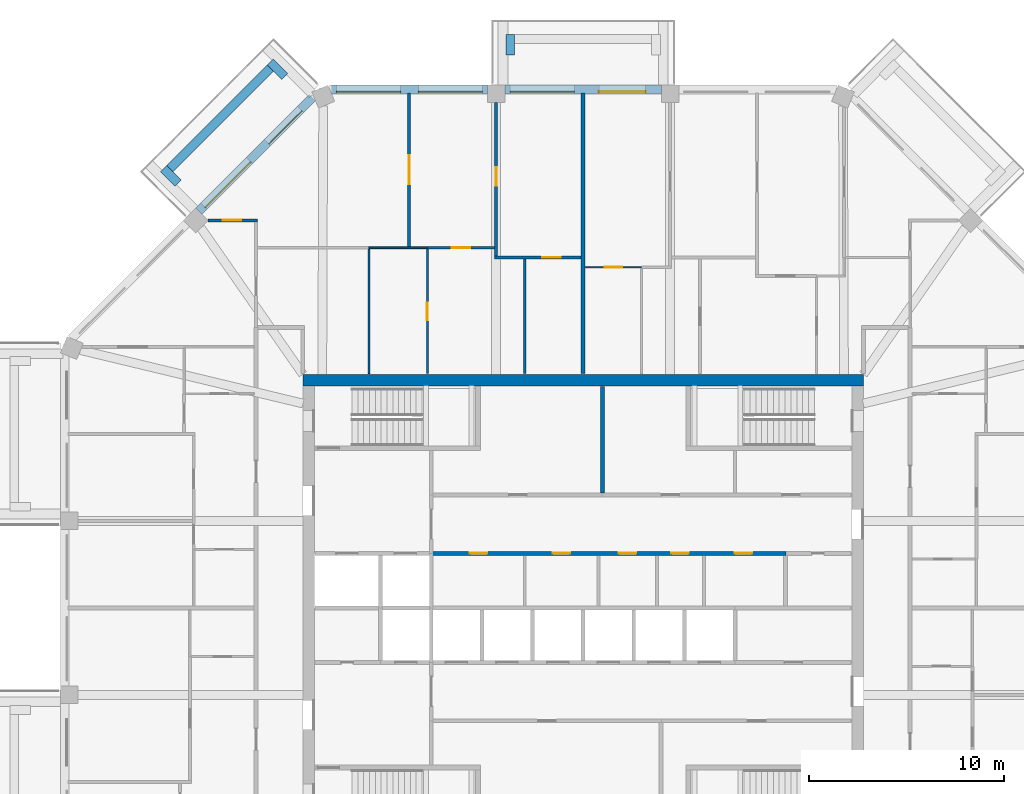
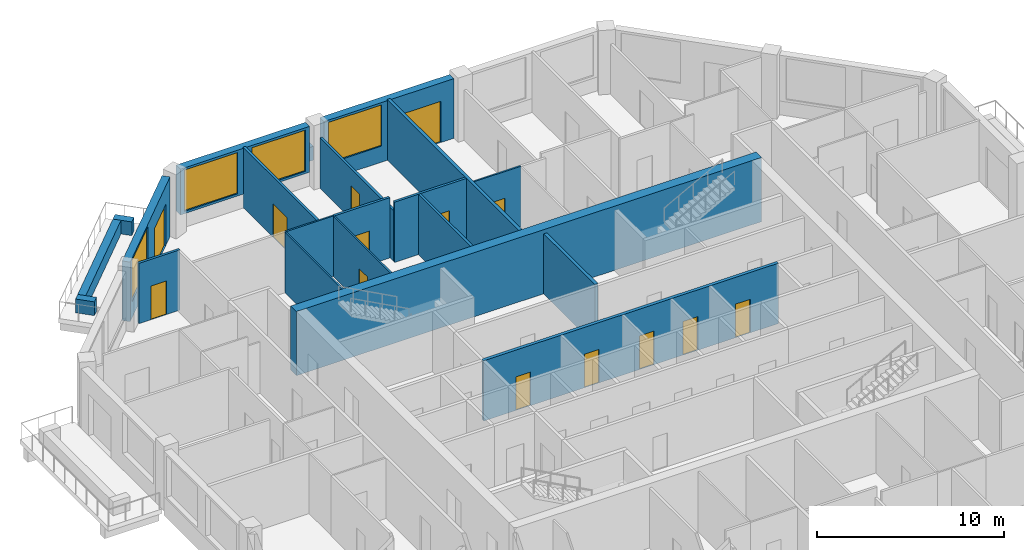
# One storey, part 8 of 12: 21 walls, 14 doors, 4 windows, 18 openings.
"""IFC4 building model written with IfcOpenShell, lengths in metres."""

import ifcopenshell
import ifcopenshell.guid

model = None  # the IFC model being written
_history = None  # IfcOwnerHistory: only IFC2X3 demands one
_inside = {}  # id of a spatial element -> (the spatial element, [elements in it])
_under = {}  # id of a project, library or spatial element -> (it, [spatial elements below it])
_declared = {}  # id of a project -> (the project, [libraries it declares])
_typed = {}  # id of a type object -> (the type object, [elements of that type])
_made_of = {}  # id of a material, layer set ... -> (it, [elements and type objects made of it])


def new_model(schema):
    """Start an empty IFC model of exactly this schema.

    Asked for "IFC4X3", IfcOpenShell would pick the latest addendum, in which some entities
    have other attributes; the version numbers below select the first issue.
    IFC2X3 requires an IfcOwnerHistory on every rooted entity: one is made here for all.
    """
    global model, _history
    if schema == "IFC4X3":
        model = ifcopenshell.file(schema_version=(4, 3, 0, 0))
    else:
        model = ifcopenshell.file(schema=schema)
    _inside.clear()
    _under.clear()
    _declared.clear()
    _typed.clear()
    _made_of.clear()
    _history = None
    if model.schema == "IFC2X3":
        org = make("IfcOrganization", Name="unknown")
        user = make(
            "IfcPersonAndOrganization",
            ThePerson=make("IfcPerson", FamilyName="unknown"),
            TheOrganization=org,
        )
        app = make(
            "IfcApplication",
            ApplicationDeveloper=org,
            Version="unknown",
            ApplicationFullName="unknown",
            ApplicationIdentifier="unknown",
        )
        _history = make(
            "IfcOwnerHistory",
            OwningUser=user,
            OwningApplication=app,
            ChangeAction="ADDED",
            CreationDate=0,
        )
    return model


def make(cls, **values):
    """One entity of the class cls with the attributes given. An attribute that is None is left unset."""
    return model.create_entity(
        cls, **{name: value for name, value in values.items() if value is not None}
    )


def rooted(cls, **values):
    """An entity with a GlobalId (a new one), such as an element, a storey or a relation."""
    return make(cls, GlobalId=ifcopenshell.guid.new(), OwnerHistory=_history, **values)


def si_unit(unit_type, name, prefix=None):
    """IfcSIUnit, for example si_unit("LENGTHUNIT", "METRE", prefix="MILLI")."""
    return make("IfcSIUnit", UnitType=unit_type, Prefix=prefix, Name=name)


def assignment(units):
    """IfcUnitAssignment: the units of a project."""
    return None if units is None else make("IfcUnitAssignment", Units=units)


def point(xyz):
    """IfcCartesianPoint."""
    return None if xyz is None else make("IfcCartesianPoint", Coordinates=xyz)


def direction(xyz):
    """IfcDirection."""
    return None if xyz is None else make("IfcDirection", DirectionRatios=xyz)


def frame(location, z_axis=None, x_axis=None):
    """IfcAxis2Placement3D, a coordinate frame: its origin and axes. An axis left out is left unset."""
    return make(
        "IfcAxis2Placement3D",
        Location=point(location),
        Axis=direction(z_axis),
        RefDirection=direction(x_axis),
    )


def frame_2d(location, x_axis=None):
    """IfcAxis2Placement2D, a coordinate frame in the plane: its origin and x axis."""
    return make(
        "IfcAxis2Placement2D", Location=point(location), RefDirection=direction(x_axis)
    )


def origin():
    """The frame at (0, 0, 0) with its axes left unset."""
    return frame((0.0, 0.0, 0.0))


def place(relative_to, where):
    """IfcLocalPlacement: puts the frame where relative to a parent placement (None: the world)."""
    return make(
        "IfcLocalPlacement", PlacementRelTo=relative_to, RelativePlacement=where
    )


def context(
    kind, dimensions, precision=None, world=None, true_north=None, identifier=None
):
    """IfcGeometricRepresentationContext, for example the 3D "Model" context."""
    return make(
        "IfcGeometricRepresentationContext",
        ContextIdentifier=identifier,
        ContextType=kind,
        CoordinateSpaceDimension=dimensions,
        Precision=precision,
        WorldCoordinateSystem=world,
        TrueNorth=true_north,
    )


def subcontext(parent, identifier, kind, view, scale=None):
    """IfcGeometricRepresentationSubContext, for example "Body" below "Model"."""
    return make(
        "IfcGeometricRepresentationSubContext",
        ContextIdentifier=identifier,
        ContextType=kind,
        ParentContext=parent,
        TargetScale=scale,
        TargetView=view,
    )


def project(units=None, contexts=None):
    """IfcProject with its units and contexts."""
    return rooted(
        "IfcProject",
        Name="project",
        RepresentationContexts=contexts,
        UnitsInContext=assignment(units),
    )


def spatial(cls, under=None, at=None, **own):
    """A site, building, storey or space (cls), placed at a placement, below another one or the project."""
    s = rooted(cls, ObjectPlacement=at, **own)
    if under is not None:
        _under.setdefault(under.id(), (under, []))[1].append(s)
    return s


def profile(cls, at=None, kind="AREA", **sizes):
    """A parametric profile (cls). Its sizes go by their IFC names, for example OverallWidth=200.0."""
    return make(cls, ProfileType=kind, Position=at, **sizes)


def rectangle(**sizes):
    """IfcRectangleProfileDef."""
    return profile("IfcRectangleProfileDef", **sizes)


def extrude(swept, where, along, depth):
    """IfcExtrudedAreaSolid: the profile swept, set in the frame where, extruded along a direction by depth."""
    return make(
        "IfcExtrudedAreaSolid",
        SweptArea=swept,
        Position=where,
        ExtrudedDirection=direction(along),
        Depth=depth,
    )


def shape(context_of_items, identifier, shape_type, items):
    """IfcShapeRepresentation: the items that make up one representation, for example the "Body"."""
    return make(
        "IfcShapeRepresentation",
        ContextOfItems=context_of_items,
        RepresentationIdentifier=identifier,
        RepresentationType=shape_type,
        Items=items,
    )


def material(Name=None, Category=None):
    """IfcMaterial."""
    return make("IfcMaterial", Name=Name, Category=Category)


def layer(
    of_material, thickness, ventilated=None, Name=None, Category=None, Priority=None
):
    """IfcMaterialLayer: one layer of a wall or slab, of a material (None: an air gap)."""
    return make(
        "IfcMaterialLayer",
        Material=of_material,
        LayerThickness=thickness,
        IsVentilated=ventilated,
        Name=Name,
        Category=Category,
        Priority=Priority,
    )


def layer_set(layers, Name=None):
    """IfcMaterialLayerSet."""
    return make("IfcMaterialLayerSet", MaterialLayers=layers, LayerSetName=Name)


def made_of(thing, what):
    """Note that an element or type object is made of a material, layer set ...; save() writes the relation."""
    if what is not None:
        _made_of.setdefault(what.id(), (what, []))[1].append(thing)
    return thing


def type_object(cls, material=None, **own):
    """A type object (cls), such as IfcWallType, which elements share."""
    return made_of(rooted(cls, **own), material)


def element(
    cls,
    number,
    at=None,
    inside=None,
    cuts=None,
    type_object=None,
    material=None,
    context=None,
    identifier="Body",
    shape_type=None,
    held_by="IfcProductDefinitionShape",
    body=None,
    shapes=None,
    **own,
):
    """One element of the class cls, such as IfcWall. Its Tag is "e" and its number.

    at: its placement. inside: the storey or other place that contains it. cuts: it is an
    opening in that element (IfcRelVoidsElement). A single representation is given by context,
    identifier, shape_type and body (its items); several are given by shapes. held_by: the class
    of the entity that holds the representations. save() writes the other relations.
    """
    e = rooted(cls, Tag="e%d" % number, ObjectPlacement=at, **own)
    if body is not None:
        shapes = [shape(context, identifier, shape_type, body)]
    if shapes is not None:
        e.Representation = make(held_by, Representations=shapes)
    if inside is not None:
        _inside.setdefault(inside.id(), (inside, []))[1].append(e)
    if cuts is not None:
        rooted(
            "IfcRelVoidsElement", RelatingBuildingElement=cuts, RelatedOpeningElement=e
        )
    if type_object is not None:
        _typed.setdefault(type_object.id(), (type_object, []))[1].append(e)
    return made_of(e, material)


def fill(opening, filler):
    """IfcRelFillsElement: the door or window that sits in an opening."""
    return rooted(
        "IfcRelFillsElement",
        RelatingOpeningElement=opening,
        RelatedBuildingElement=filler,
    )


def aggregate(whole, parts):
    """IfcRelAggregates: a whole, such as a stair, and the parts it consists of."""
    return rooted("IfcRelAggregates", RelatingObject=whole, RelatedObjects=parts)


def save(model, path):
    """Write the relations noted so far, then the file.

    IfcRelAggregates (storeys below a building ...), IfcRelContainedInSpatialStructure (elements
    in a storey), IfcRelDefinesByType, IfcRelAssociatesMaterial and IfcRelDeclares: one each for
    every whole, place, type object, material and project.
    """
    for whole, parts in _under.values():
        aggregate(whole, parts)
    for where, things in _inside.values():
        rooted(
            "IfcRelContainedInSpatialStructure",
            RelatedElements=things,
            RelatingStructure=where,
        )
    for kind, things in _typed.values():
        rooted("IfcRelDefinesByType", RelatedObjects=things, RelatingType=kind)
    for what, things in _made_of.values():
        rooted("IfcRelAssociatesMaterial", RelatedObjects=things, RelatingMaterial=what)
    for by, libraries in _declared.values():
        rooted("IfcRelDeclares", RelatingContext=by, RelatedDefinitions=libraries)
    model.write(path)


model = new_model("IFC4")

# Units and contexts
model_context = context("Model", 3, precision=1e-05, world=origin(), true_north=direction((0.0, 1.0)))
body_context = subcontext(model_context, "Body", "Model", "MODEL_VIEW")
ifc_project = project(units=[si_unit("LENGTHUNIT", "METRE"), si_unit("AREAUNIT", "SQUARE_METRE"), si_unit("VOLUMEUNIT", "CUBIC_METRE"), si_unit("PLANEANGLEUNIT", "RADIAN"), si_unit("MASSUNIT", "GRAM", prefix="KILO")], contexts=[model_context])

# Site, building, storey
site_placement = place(None, origin())
site = spatial("IfcSite", under=ifc_project, at=site_placement, CompositionType="ELEMENT")
building_placement = place(site_placement, origin())
building = spatial("IfcBuilding", under=site, at=building_placement, Name="Msitu Wima Residences", CompositionType="ELEMENT")
storey_placement = place(building_placement, frame((0.0, 0.0, 272.699951171875)))
storey = spatial("IfcBuildingStorey", under=building, at=storey_placement, Name="L63", CompositionType="ELEMENT", Elevation=272.699951171875)

# Walls
ifc_material_1 = material(Name="Facing brick")
ifc_layer_1 = layer(ifc_material_1, 0.06494140625, Name="Facing brick")
ifc_material_2 = material(Name="Concrete C40/50", Category="concrete")
ifc_layer_2 = layer(ifc_material_2, 0.156005859375, Name="Concrete C40/50")
ifc_material_3 = material(Name="Waterproofing membrane")
ifc_layer_3 = layer(ifc_material_3, 0.00390625, Name="Waterproofing membrane")
ifc_material_4 = material(Name="Planting soil and planting")
ifc_layer_4 = layer(ifc_material_4, 0.22509765625, Name="Planting soil and planting")
ifc_layer_set_1 = layer_set([ifc_layer_1, ifc_layer_2, ifc_layer_3, ifc_layer_4], Name="Concrete C40/50")
wall_type_1 = type_object("IfcWallType", Name="Balcony planter PLANTER PL450", PredefinedType="USERDEFINED", material=ifc_layer_set_1)
wall_1_placement = place(storey_placement, frame((-3.74365234375, 28.39990234375, 0.0), z_axis=(0.0, 0.0, 1.0), x_axis=(0.0, 1.0, 0.0)))
element("IfcWall", 1, at=wall_1_placement, inside=storey, type_object=wall_type_1, Name="Balcony planter N1 L63", ObjectType="PLANTER", PredefinedType="USERDEFINED", context=body_context, shape_type="SweptSolid", body=[
    extrude(rectangle(XDim=1.050048828125, YDim=0.449951171875, at=frame_2d((0.52490234375, 0.0))), origin(), (0.0, 0.0, 1.0), 0.900146484375),
])
wall_2_placement = place(storey_placement, frame((-16.0751953125, 27.725830078125, 0.0), z_axis=(0.0, 0.0, 1.0), x_axis=(-0.707106781187, -0.707106781187, 0.0)))
element("IfcWall", 2, at=wall_2_placement, inside=storey, type_object=wall_type_1, Name="Balcony planter NW0 L63", ObjectType="PLANTER", PredefinedType="USERDEFINED", context=body_context, shape_type="SweptSolid", body=[
    extrude(rectangle(XDim=7.288330078125, YDim=0.449951171875, at=frame_2d((3.64404296875, 0.0))), origin(), (0.0, 0.0, 1.0), 0.900146484375),
])
for number, where, z_axis, x_axis, name in (
    (3, (-15.332763671875, 27.301513671875, 0.0), (0.0, 0.0, 1.0), (-0.707106781187, 0.707106781187, 0.0), "Balcony planter NW0 L63"),
    (4, (-20.804443359375, 21.829833984375, 0.0), (0.0, 0.0, 1.0), (-0.707106781187, 0.707106781187, 0.0), "Balcony planter NW0 L63"),
):
    element("IfcWall", number, at=place(storey_placement, frame(where, z_axis=z_axis, x_axis=x_axis)), inside=storey, type_object=wall_type_1, Name=name, ObjectType="PLANTER", PredefinedType="USERDEFINED", context=body_context, shape_type="SweptSolid", body=[
        extrude(rectangle(XDim=1.050048828125, YDim=0.449951171875, at=frame_2d((0.52490234375, 0.0))), origin(), (0.0, 0.0, 1.0), 0.900146484375),
    ])

# Wall, openings, door, window
ifc_material_5 = material(Name="Brick (red buff mix)", Category="masonry")
ifc_layer_5 = layer(ifc_material_5, 0.449951171875)
ifc_layer_set_2 = layer_set([ifc_layer_5], Name="Brick (red buff mix)")
wall_type_2 = type_object("IfcWallType", Name="Brick infill wall BW450", PredefinedType="SOLIDWALL", material=ifc_layer_set_2)
wall_3_placement = place(storey_placement, frame((4.0185546875, 26.625, 0.0), z_axis=(0.0, 0.0, 1.0), x_axis=(-1.0, 0.0, 0.0)))
wall_3 = element("IfcWall", 5, at=wall_3_placement, inside=storey, type_object=wall_type_2, Name="Brick infill wall L63 N1", PredefinedType="SOLIDWALL", context=body_context, shape_type="SweptSolid", body=[
    extrude(rectangle(XDim=8.037109375, YDim=0.449951171875, at=frame_2d((4.0185546875, 0.0))), origin(), (0.0, 0.0, 1.0), 3.900146484375),
])
opening_1_placement = place(wall_3_placement, frame((0.809326171875, 0.0, 0.0)))
opening_1 = element("IfcOpeningElement", 6, at=opening_1_placement, cuts=wall_3, Name="Opening D63-64.003", PredefinedType="OPENING", context=body_context, shape_type="SweptSolid", body=[
    extrude(rectangle(XDim=2.39990234375, YDim=2.699951171875, at=frame_2d((1.199951171875, 1.35009765625))), frame((0.0, 0.23486328125, 0.0), z_axis=(0.0, -1.0, 0.0), x_axis=(1.0, 0.0, 0.0)), (0.0, 0.0, 1.0), 0.469970703125),
])
opening_2_placement = place(wall_3_placement, frame((4.46875, 0.0, 1.050048828125)))
opening_2 = element("IfcOpeningElement", 7, at=opening_2_placement, cuts=wall_3, Name="Opening W63-64.007", PredefinedType="OPENING", context=body_context, shape_type="SweptSolid", body=[
    extrude(rectangle(XDim=3.300048828125, YDim=2.699951171875, at=frame_2d((1.64990234375, 1.35009765625))), frame((0.0, 0.23486328125, 0.0), z_axis=(0.0, -1.0, 0.0), x_axis=(1.0, 0.0, 0.0)), (0.0, 0.0, 1.0), 0.469970703125),
])
ifc_material_6 = material(Name="Anodised aluminium, bronze finish, clear low-emissivity double glazing", Category="aluminium")
door_type_1 = type_object("IfcDoorType", Name="Balcony door D2400x2700", OperationType="SLIDING_TO_LEFT", PredefinedType="DOOR", material=ifc_material_6)
door_1_placement = place(opening_1_placement, origin())
door_1 = element("IfcDoor", 8, at=door_1_placement, inside=storey, type_object=door_type_1, Name="Balcony door L63 N1", OperationType="SINGLE_SWING_LEFT", OverallHeight=2.699951171875, OverallWidth=2.39990234375, PredefinedType="DOOR", context=body_context, shape_type="SweptSolid", body=[
    extrude(rectangle(XDim=2.39990234375, YDim=2.699951171875, at=frame_2d((1.199951171875, 1.35009765625))), frame((0.0, 0.1298828125, 0.0), z_axis=(0.0, -1.0, 0.0), x_axis=(1.0, 0.0, 0.0)), (0.0, 0.0, 1.0), 0.050048828125),
])
fill(opening_1, door_1)
window_type = type_object("IfcWindowType", Name="Window W3300x2700", PartitioningType="DOUBLE_PANEL_VERTICAL", PredefinedType="WINDOW", material=ifc_material_6)
window_1_placement = place(opening_2_placement, origin())
window_1 = element("IfcWindow", 9, at=window_1_placement, inside=storey, type_object=window_type, Name="Window L63 N1.2", OverallHeight=2.699951171875, OverallWidth=3.300048828125, PartitioningType="SINGLE_PANEL", PredefinedType="WINDOW", context=body_context, shape_type="SweptSolid", body=[
    extrude(rectangle(XDim=3.300048828125, YDim=2.699951171875, at=frame_2d((1.64990234375, 1.35009765625))), frame((0.0, 0.135009765625, 0.0), z_axis=(0.0, -1.0, 0.0), x_axis=(1.0, 0.0, 0.0)), (0.0, 0.0, 1.0), 0.06005859375),
])
fill(opening_2, window_1)

# Wall, openings, windows
wall_4_placement = place(storey_placement, frame((-4.918701171875, 26.625, 0.900146484375), z_axis=(0.0, 0.0, 1.0), x_axis=(-1.0, 0.0, 0.0)))
wall_4 = element("IfcWall", 10, at=wall_4_placement, inside=storey, type_object=wall_type_2, Name="Brick infill wall L63 N2", PredefinedType="SOLIDWALL", context=body_context, shape_type="SweptSolid", body=[
    extrude(rectangle(XDim=8.0, YDim=0.449951171875, at=frame_2d((4.0, 0.0))), origin(), (0.0, 0.0, 1.0), 3.0),
])
opening_3_placement = place(wall_4_placement, frame((0.25, 0.0, 0.14990234375)))
opening_3 = element("IfcOpeningElement", 11, at=opening_3_placement, cuts=wall_4, Name="Opening W63-64.008", PredefinedType="OPENING", context=body_context, shape_type="SweptSolid", body=[
    extrude(rectangle(XDim=3.300048828125, YDim=2.699951171875, at=frame_2d((1.64990234375, 1.35009765625))), frame((0.0, 0.23486328125, 0.0), z_axis=(0.0, -1.0, 0.0), x_axis=(1.0, 0.0, 0.0)), (0.0, 0.0, 1.0), 0.469970703125),
])
opening_4_placement = place(wall_4_placement, frame((4.4501953125, 0.0, 0.14990234375)))
opening_4 = element("IfcOpeningElement", 12, at=opening_4_placement, cuts=wall_4, Name="Opening W63-64.009", PredefinedType="OPENING", context=body_context, shape_type="SweptSolid", body=[
    extrude(rectangle(XDim=3.300048828125, YDim=2.699951171875, at=frame_2d((1.64990234375, 1.35009765625))), frame((0.0, 0.23486328125, 0.0), z_axis=(0.0, -1.0, 0.0), x_axis=(1.0, 0.0, 0.0)), (0.0, 0.0, 1.0), 0.469970703125),
])
window_2_placement = place(opening_3_placement, origin())
window_2 = element("IfcWindow", 13, at=window_2_placement, inside=storey, type_object=window_type, Name="Window L63 N2.1", OverallHeight=2.699951171875, OverallWidth=3.300048828125, PartitioningType="SINGLE_PANEL", PredefinedType="WINDOW", context=body_context, shape_type="SweptSolid", body=[
    extrude(rectangle(XDim=3.300048828125, YDim=2.699951171875, at=frame_2d((1.64990234375, 1.35009765625))), frame((0.0, 0.135009765625, 0.0), z_axis=(0.0, -1.0, 0.0), x_axis=(1.0, 0.0, 0.0)), (0.0, 0.0, 1.0), 0.06005859375),
])
fill(opening_3, window_2)
window_3_placement = place(opening_4_placement, origin())
window_3 = element("IfcWindow", 14, at=window_3_placement, inside=storey, type_object=window_type, Name="Window L63 N2.2", OverallHeight=2.699951171875, OverallWidth=3.300048828125, PartitioningType="SINGLE_PANEL", PredefinedType="WINDOW", context=body_context, shape_type="SweptSolid", body=[
    extrude(rectangle(XDim=3.300048828125, YDim=2.699951171875, at=frame_2d((1.64990234375, 1.35009765625))), frame((0.0, 0.135009765625, 0.0), z_axis=(0.0, -1.0, 0.0), x_axis=(1.0, 0.0, 0.0)), (0.0, 0.0, 1.0), 0.06005859375),
])
fill(opening_4, window_3)

# Wall, openings, door, window
wall_5_placement = place(storey_placement, frame((-13.909423828125, 26.214599609375, 0.0), z_axis=(0.0, 0.0, 1.0), x_axis=(-0.707106781187, -0.707106781187, 0.0)))
wall_5 = element("IfcWall", 15, at=wall_5_placement, inside=storey, type_object=wall_type_2, Name="Brick infill wall L63 NW0", PredefinedType="SOLIDWALL", context=body_context, shape_type="SweptSolid", body=[
    extrude(rectangle(XDim=8.251220703125, YDim=0.449951171875, at=frame_2d((4.12548828125, 0.0))), origin(), (0.0, 0.0, 1.0), 3.900146484375),
])
opening_5_placement = place(wall_5_placement, frame((0.86279296875, 0.0, 0.0)))
opening_5 = element("IfcOpeningElement", 16, at=opening_5_placement, cuts=wall_5, Name="Opening D63-64.005", PredefinedType="OPENING", context=body_context, shape_type="SweptSolid", body=[
    extrude(rectangle(XDim=2.39990234375, YDim=2.699951171875, at=frame_2d((1.199951171875, 1.35009765625))), frame((0.0, 0.23486328125, 0.0), z_axis=(0.0, -1.0, 0.0), x_axis=(1.0, 0.0, 0.0)), (0.0, 0.0, 1.0), 0.469970703125),
])
opening_6_placement = place(wall_5_placement, frame((4.57568359375, 0.0, 1.050048828125)))
opening_6 = element("IfcOpeningElement", 17, at=opening_6_placement, cuts=wall_5, Name="Opening W63-64.013", PredefinedType="OPENING", context=body_context, shape_type="SweptSolid", body=[
    extrude(rectangle(XDim=3.300048828125, YDim=2.699951171875, at=frame_2d((1.64990234375, 1.35009765625))), frame((0.0, 0.23486328125, 0.0), z_axis=(0.0, -1.0, 0.0), x_axis=(1.0, 0.0, 0.0)), (0.0, 0.0, 1.0), 0.469970703125),
])
door_2_placement = place(opening_5_placement, origin())
door_2 = element("IfcDoor", 18, at=door_2_placement, inside=storey, type_object=door_type_1, Name="Balcony door L63 NW0", OperationType="SINGLE_SWING_LEFT", OverallHeight=2.699951171875, OverallWidth=2.39990234375, PredefinedType="DOOR", context=body_context, shape_type="SweptSolid", body=[
    extrude(rectangle(XDim=2.39990234375, YDim=2.699951171875, at=frame_2d((1.199951171875, 1.35009765625))), frame((0.0, 0.1298828125, 0.0), z_axis=(0.0, -1.0, 0.0), x_axis=(1.0, 0.0, 0.0)), (0.0, 0.0, 1.0), 0.050048828125),
])
fill(opening_5, door_2)
window_4_placement = place(opening_6_placement, origin())
window_4 = element("IfcWindow", 19, at=window_4_placement, inside=storey, type_object=window_type, Name="Window L63 NW0.2", OverallHeight=2.699951171875, OverallWidth=3.300048828125, PartitioningType="SINGLE_PANEL", PredefinedType="WINDOW", context=body_context, shape_type="SweptSolid", body=[
    extrude(rectangle(XDim=3.300048828125, YDim=2.699951171875, at=frame_2d((1.64990234375, 1.35009765625))), frame((0.0, 0.135009765625, 0.0), z_axis=(0.0, -1.0, 0.0), x_axis=(1.0, 0.0, 0.0)), (0.0, 0.0, 1.0), 0.06005859375),
])
fill(opening_6, window_4)

# Wall
ifc_material_7 = material(Name="Concrete C50/60", Category="concrete")
ifc_layer_6 = layer(ifc_material_7, 0.60009765625)
ifc_layer_set_3 = layer_set([ifc_layer_6], Name="Concrete C50/60")
wall_type_3 = type_object("IfcWallType", Name="Core wall CW600 C50/60", PredefinedType="SHEAR", material=ifc_layer_set_3)
wall_6_placement = place(storey_placement, frame((-14.39990234375, 11.699951171875, 0.0), z_axis=(0.0, 0.0, 1.0), x_axis=(1.0, 0.0, 0.0)))
element("IfcWall", 20, at=wall_6_placement, inside=storey, type_object=wall_type_3, Name="Core wall", PredefinedType="SHEAR", context=body_context, shape_type="SweptSolid", body=[
    extrude(rectangle(XDim=28.7998046875, YDim=0.60009765625, at=frame_2d((14.39990234375, 0.0))), origin(), (0.0, 0.0, 1.0), 4.199951171875),
])

# Wall, openings, doors
ifc_material_8 = material(Name="Plaster")
ifc_layer_7 = layer(ifc_material_8, 0.011962890625, Name="Plaster")
ifc_material_9 = material(Name="Concrete blockwork", Category="masonry")
ifc_layer_8 = layer(ifc_material_9, 0.176025390625, Name="Concrete blockwork")
ifc_layer_9 = layer(ifc_material_8, 0.011962890625, Name="Plaster")
ifc_layer_set_4 = layer_set([ifc_layer_7, ifc_layer_8, ifc_layer_9], Name="Concrete blockwork")
wall_type_4 = type_object("IfcWallType", Name="Corridor wall FW200", PredefinedType="PARTITIONING", material=ifc_layer_set_4)
wall_7_placement = place(storey_placement, frame((-7.820068359375, 2.800048828125, 0.0), z_axis=(0.0, 0.0, 1.0), x_axis=(1.0, 0.0, 0.0)))
wall_7 = element("IfcWall", 21, at=wall_7_placement, inside=storey, type_object=wall_type_4, Name="Corridor wall", PredefinedType="PARTITIONING", context=body_context, shape_type="SweptSolid", body=[
    extrude(rectangle(XDim=18.239990234375, YDim=0.199951171875, at=frame_2d((9.1201171875, 0.0))), origin(), (0.0, 0.0, 1.0), 3.949951171875),
])
opening_7_placement = place(wall_7_placement, frame((2.0, 0.0, 0.0)))
opening_7 = element("IfcOpeningElement", 22, at=opening_7_placement, cuts=wall_7, Name="Opening D63-64.079", PredefinedType="OPENING", context=body_context, shape_type="SweptSolid", body=[
    extrude(rectangle(XDim=0.89990234375, YDim=2.199951171875, at=frame_2d((0.449951171875, 1.10009765625))), frame((0.0, 0.10986328125, 0.0), z_axis=(0.0, -1.0, 0.0), x_axis=(1.0, 0.0, 0.0)), (0.0, 0.0, 1.0), 0.219970703125),
])
opening_8_placement = place(wall_7_placement, frame((6.25, 0.0, 0.0)))
opening_8 = element("IfcOpeningElement", 23, at=opening_8_placement, cuts=wall_7, Name="Opening D63-64.080", PredefinedType="OPENING", context=body_context, shape_type="SweptSolid", body=[
    extrude(rectangle(XDim=0.89990234375, YDim=2.199951171875, at=frame_2d((0.449951171875, 1.10009765625))), frame((0.0, 0.10986328125, 0.0), z_axis=(0.0, -1.0, 0.0), x_axis=(1.0, 0.0, 0.0)), (0.0, 0.0, 1.0), 0.219970703125),
])
opening_9_placement = place(wall_7_placement, frame((9.64990234375, 0.0, 0.0)))
opening_9 = element("IfcOpeningElement", 24, at=opening_9_placement, cuts=wall_7, Name="Opening D63-64.081", PredefinedType="OPENING", context=body_context, shape_type="SweptSolid", body=[
    extrude(rectangle(XDim=0.89990234375, YDim=2.199951171875, at=frame_2d((0.449951171875, 1.10009765625))), frame((0.0, 0.10986328125, 0.0), z_axis=(0.0, -1.0, 0.0), x_axis=(1.0, 0.0, 0.0)), (0.0, 0.0, 1.0), 0.219970703125),
])
opening_10_placement = place(wall_7_placement, frame((12.35009765625, 0.0, 0.0)))
opening_10 = element("IfcOpeningElement", 25, at=opening_10_placement, cuts=wall_7, Name="Opening D63-64.082", PredefinedType="OPENING", context=body_context, shape_type="SweptSolid", body=[
    extrude(rectangle(XDim=0.89990234375, YDim=2.199951171875, at=frame_2d((0.449951171875, 1.10009765625))), frame((0.0, 0.10986328125, 0.0), z_axis=(0.0, -1.0, 0.0), x_axis=(1.0, 0.0, 0.0)), (0.0, 0.0, 1.0), 0.219970703125),
])
opening_11_placement = place(wall_7_placement, frame((15.60009765625, 0.0, 0.0)))
opening_11 = element("IfcOpeningElement", 26, at=opening_11_placement, cuts=wall_7, Name="Opening D63-64.083", PredefinedType="OPENING", context=body_context, shape_type="SweptSolid", body=[
    extrude(rectangle(XDim=0.89990234375, YDim=2.199951171875, at=frame_2d((0.449951171875, 1.10009765625))), frame((0.0, 0.10986328125, 0.0), z_axis=(0.0, -1.0, 0.0), x_axis=(1.0, 0.0, 0.0)), (0.0, 0.0, 1.0), 0.219970703125),
])
ifc_material_10 = material(Name="Timber flush door", Category="wood")
door_type_2 = type_object("IfcDoorType", Name="Service door D05 900x2200", OperationType="SINGLE_SWING_LEFT", PredefinedType="DOOR", material=ifc_material_10)
door_3_placement = place(opening_7_placement, origin())
door_3 = element("IfcDoor", 27, at=door_3_placement, inside=storey, type_object=door_type_2, Name="Service door", OperationType="SINGLE_SWING_LEFT", OverallHeight=2.199951171875, OverallWidth=0.89990234375, PredefinedType="DOOR", context=body_context, shape_type="SweptSolid", body=[
    extrude(rectangle(XDim=0.89990234375, YDim=2.199951171875, at=frame_2d((0.449951171875, 1.10009765625))), frame((0.0, 0.02490234375, 0.0), z_axis=(0.0, -1.0, 0.0), x_axis=(1.0, 0.0, 0.0)), (0.0, 0.0, 1.0), 0.050048828125),
])
fill(opening_7, door_3)
door_4_placement = place(opening_8_placement, origin())
door_4 = element("IfcDoor", 28, at=door_4_placement, inside=storey, type_object=door_type_2, Name="Service door", OperationType="SINGLE_SWING_RIGHT", OverallHeight=2.199951171875, OverallWidth=0.89990234375, PredefinedType="DOOR", context=body_context, shape_type="SweptSolid", body=[
    extrude(rectangle(XDim=0.89990234375, YDim=2.199951171875, at=frame_2d((0.449951171875, 1.10009765625))), frame((0.0, 0.02490234375, 0.0), z_axis=(0.0, -1.0, 0.0), x_axis=(1.0, 0.0, 0.0)), (0.0, 0.0, 1.0), 0.050048828125),
])
fill(opening_8, door_4)
door_5_placement = place(opening_9_placement, origin())
door_5 = element("IfcDoor", 29, at=door_5_placement, inside=storey, type_object=door_type_2, Name="Service door", OperationType="SINGLE_SWING_RIGHT", OverallHeight=2.199951171875, OverallWidth=0.89990234375, PredefinedType="DOOR", context=body_context, shape_type="SweptSolid", body=[
    extrude(rectangle(XDim=0.89990234375, YDim=2.199951171875, at=frame_2d((0.449951171875, 1.10009765625))), frame((0.0, 0.02490234375, 0.0), z_axis=(0.0, -1.0, 0.0), x_axis=(1.0, 0.0, 0.0)), (0.0, 0.0, 1.0), 0.050048828125),
])
fill(opening_9, door_5)
door_6_placement = place(opening_10_placement, origin())
door_6 = element("IfcDoor", 30, at=door_6_placement, inside=storey, type_object=door_type_2, Name="Service door", OperationType="SINGLE_SWING_RIGHT", OverallHeight=2.199951171875, OverallWidth=0.89990234375, PredefinedType="DOOR", context=body_context, shape_type="SweptSolid", body=[
    extrude(rectangle(XDim=0.89990234375, YDim=2.199951171875, at=frame_2d((0.449951171875, 1.10009765625))), frame((0.0, 0.02490234375, 0.0), z_axis=(0.0, -1.0, 0.0), x_axis=(1.0, 0.0, 0.0)), (0.0, 0.0, 1.0), 0.050048828125),
])
fill(opening_10, door_6)
door_7_placement = place(opening_11_placement, origin())
door_7 = element("IfcDoor", 31, at=door_7_placement, inside=storey, type_object=door_type_2, Name="Service door", OperationType="SINGLE_SWING_RIGHT", OverallHeight=2.199951171875, OverallWidth=0.89990234375, PredefinedType="DOOR", context=body_context, shape_type="SweptSolid", body=[
    extrude(rectangle(XDim=0.89990234375, YDim=2.199951171875, at=frame_2d((0.449951171875, 1.10009765625))), frame((0.0, 0.02490234375, 0.0), z_axis=(0.0, -1.0, 0.0), x_axis=(1.0, 0.0, 0.0)), (0.0, 0.0, 1.0), 0.050048828125),
])
fill(opening_11, door_7)

# Wall, opening, door
ifc_layer_10 = layer(ifc_material_8, 0.011962890625, Name="Plaster")
ifc_layer_11 = layer(ifc_material_9, 0.1259765625, Name="Concrete blockwork")
ifc_layer_12 = layer(ifc_material_8, 0.011962890625, Name="Plaster")
ifc_layer_set_5 = layer_set([ifc_layer_10, ifc_layer_11, ifc_layer_12], Name="Concrete blockwork")
wall_type_5 = type_object("IfcWallType", Name="Partition PW150", PredefinedType="PARTITIONING", material=ifc_layer_set_5)
wall_8_placement = place(storey_placement, frame((-19.2666015625, 19.90283203125, 0.0), z_axis=(0.0, 0.0, 1.0), x_axis=(1.0, 0.0, 0.0)))
wall_8 = element("IfcWall", 32, at=wall_8_placement, inside=storey, type_object=wall_type_5, Name="Partition", PredefinedType="PARTITIONING", context=body_context, shape_type="SweptSolid", body=[
    extrude(rectangle(XDim=2.54150390625, YDim=0.14990234375, at=frame_2d((1.270751953125, 0.0))), origin(), (0.0, 0.0, 1.0), 3.949951171875),
])
opening_12_placement = place(wall_8_placement, frame((0.75, 0.0, 0.0)))
opening_12 = element("IfcOpeningElement", 33, at=opening_12_placement, cuts=wall_8, Name="Opening D63-64.037", PredefinedType="OPENING", context=body_context, shape_type="SweptSolid", body=[
    extrude(rectangle(XDim=0.949951171875, YDim=2.199951171875, at=frame_2d((0.47509765625, 1.10009765625))), frame((0.0, 0.0849609375, 0.0), z_axis=(0.0, -1.0, 0.0), x_axis=(1.0, 0.0, 0.0)), (0.0, 0.0, 1.0), 0.169921875),
])
door_type_3 = type_object("IfcDoorType", Name="Room door D12 950x2200", OperationType="SINGLE_SWING_LEFT", PredefinedType="DOOR", material=ifc_material_10)
door_8_placement = place(opening_12_placement, origin())
door_8 = element("IfcDoor", 34, at=door_8_placement, inside=storey, type_object=door_type_3, Name="Room door", OperationType="SINGLE_SWING_LEFT", OverallHeight=2.199951171875, OverallWidth=0.949951171875, PredefinedType="DOOR", context=body_context, shape_type="SweptSolid", body=[
    extrude(rectangle(XDim=0.949951171875, YDim=2.199951171875, at=frame_2d((0.47509765625, 1.10009765625))), frame((0.0, 0.02490234375, 0.0), z_axis=(0.0, -1.0, 0.0), x_axis=(1.0, 0.0, 0.0)), (0.0, 0.0, 1.0), 0.050048828125),
])
fill(opening_12, door_8)

wall_9_placement = place(storey_placement, frame((-8.937255859375, 18.550048828125, 0.0), z_axis=(0.0, 0.0, 1.0), x_axis=(0.0, 1.0, 0.0)))
wall_9 = element("IfcWall", 35, at=wall_9_placement, inside=storey, type_object=wall_type_5, Name="Partition", PredefinedType="PARTITIONING", context=body_context, shape_type="SweptSolid", body=[
    extrude(rectangle(XDim=7.905029296875, YDim=0.14990234375, at=frame_2d((3.95263671875, 0.0))), origin(), (0.0, 0.0, 1.0), 3.949951171875),
])
opening_13_placement = place(wall_9_placement, frame((3.199951171875, 0.0, 0.0)))
opening_13 = element("IfcOpeningElement", 36, at=opening_13_placement, cuts=wall_9, Name="Opening D63-64.038", PredefinedType="OPENING", context=body_context, shape_type="SweptSolid", body=[
    extrude(rectangle(XDim=1.5, YDim=2.199951171875, at=frame_2d((0.75, 1.10009765625))), frame((0.0, 0.0849609375, 0.0), z_axis=(0.0, -1.0, 0.0), x_axis=(1.0, 0.0, 0.0)), (0.0, 0.0, 1.0), 0.169921875),
])
ifc_material_11 = material(Name="Timber double door", Category="wood")
door_type_4 = type_object("IfcDoorType", Name="Double door D04 1500x2200", OperationType="DOUBLE_DOOR_SINGLE_SWING", PredefinedType="DOOR", material=ifc_material_11)
door_9_placement = place(opening_13_placement, origin())
door_9 = element("IfcDoor", 37, at=door_9_placement, inside=storey, type_object=door_type_4, Name="Double door", OperationType="DOUBLE_DOOR_SINGLE_SWING", OverallHeight=2.199951171875, OverallWidth=1.5, PredefinedType="DOOR", context=body_context, shape_type="SweptSolid", body=[
    extrude(rectangle(XDim=1.5, YDim=2.199951171875, at=frame_2d((0.75, 1.10009765625))), frame((0.0, 0.02490234375, 0.0), z_axis=(0.0, -1.0, 0.0), x_axis=(1.0, 0.0, 0.0)), (0.0, 0.0, 1.0), 0.050048828125),
])
fill(opening_13, door_9)

wall_10_placement = place(storey_placement, frame((-8.0, 18.5, 0.0), z_axis=(0.0, 0.0, 1.0), x_axis=(1.0, 0.0, 0.0)))
wall_10 = element("IfcWall", 38, at=wall_10_placement, inside=storey, type_object=wall_type_5, Name="Partition", PredefinedType="PARTITIONING", context=body_context, shape_type="SweptSolid", body=[
    extrude(rectangle(XDim=3.456298828125, YDim=0.14990234375, at=frame_2d((1.72802734375, 0.0))), origin(), (0.0, 0.0, 1.0), 3.949951171875),
])
opening_14_placement = place(wall_10_placement, frame((1.25, 0.0, 0.0)))
opening_14 = element("IfcOpeningElement", 39, at=opening_14_placement, cuts=wall_10, Name="Opening D63-64.027", PredefinedType="OPENING", context=body_context, shape_type="SweptSolid", body=[
    extrude(rectangle(XDim=0.949951171875, YDim=2.199951171875, at=frame_2d((0.47509765625, 1.10009765625))), frame((0.0, 0.0849609375, 0.0), z_axis=(0.0, -1.0, 0.0), x_axis=(1.0, 0.0, 0.0)), (0.0, 0.0, 1.0), 0.169921875),
])
door_10_placement = place(opening_14_placement, origin())
door_10 = element("IfcDoor", 40, at=door_10_placement, inside=storey, type_object=door_type_3, Name="Room door", OperationType="SINGLE_SWING_RIGHT", OverallHeight=2.199951171875, OverallWidth=0.949951171875, PredefinedType="DOOR", context=body_context, shape_type="SweptSolid", body=[
    extrude(rectangle(XDim=0.949951171875, YDim=2.199951171875, at=frame_2d((0.47509765625, 1.10009765625))), frame((0.0, 0.02490234375, 0.0), z_axis=(0.0, -1.0, 0.0), x_axis=(1.0, 0.0, 0.0)), (0.0, 0.0, 1.0), 0.050048828125),
])
fill(opening_14, door_10)

wall_11_placement = place(storey_placement, frame((-4.46875, 18.074951171875, 0.0), z_axis=(0.0, 0.0, 1.0), x_axis=(0.0, 1.0, 0.0)))
wall_11 = element("IfcWall", 41, at=wall_11_placement, inside=storey, type_object=wall_type_5, Name="Partition", PredefinedType="PARTITIONING", context=body_context, shape_type="SweptSolid", body=[
    extrude(rectangle(XDim=7.875, YDim=0.14990234375, at=frame_2d((3.9375, 0.0))), origin(), (0.0, 0.0, 1.0), 3.300048828125),
])
opening_15_placement = place(wall_11_placement, frame((3.60009765625, 0.0, 0.0)))
opening_15 = element("IfcOpeningElement", 42, at=opening_15_placement, cuts=wall_11, Name="Opening D63-64.029", PredefinedType="OPENING", context=body_context, shape_type="SweptSolid", body=[
    extrude(rectangle(XDim=0.949951171875, YDim=2.199951171875, at=frame_2d((0.47509765625, 1.10009765625))), frame((0.0, 0.0849609375, 0.0), z_axis=(0.0, -1.0, 0.0), x_axis=(1.0, 0.0, 0.0)), (0.0, 0.0, 1.0), 0.169921875),
])
door_11_placement = place(opening_15_placement, origin())
door_11 = element("IfcDoor", 43, at=door_11_placement, inside=storey, type_object=door_type_3, Name="Room door", OperationType="SINGLE_SWING_LEFT", OverallHeight=2.199951171875, OverallWidth=0.949951171875, PredefinedType="DOOR", context=body_context, shape_type="SweptSolid", body=[
    extrude(rectangle(XDim=0.949951171875, YDim=2.199951171875, at=frame_2d((0.47509765625, 1.10009765625))), frame((0.0, 0.02490234375, 0.0), z_axis=(0.0, -1.0, 0.0), x_axis=(1.0, 0.0, 0.0)), (0.0, 0.0, 1.0), 0.050048828125),
])
fill(opening_15, door_11)

wall_12_placement = place(storey_placement, frame((-4.543701171875, 18.0, 0.0), z_axis=(0.0, 0.0, 1.0), x_axis=(1.0, 0.0, 0.0)))
wall_12 = element("IfcWall", 44, at=wall_12_placement, inside=storey, type_object=wall_type_5, Name="Partition", PredefinedType="PARTITIONING", context=body_context, shape_type="SweptSolid", body=[
    extrude(rectangle(XDim=4.443603515625, YDim=0.14990234375, at=frame_2d((2.2216796875, 0.0))), origin(), (0.0, 0.0, 1.0), 3.949951171875),
])
opening_16_placement = place(wall_12_placement, frame((2.449951171875, 0.0, 0.0)))
opening_16 = element("IfcOpeningElement", 45, at=opening_16_placement, cuts=wall_12, Name="Opening D63-64.030", PredefinedType="OPENING", context=body_context, shape_type="SweptSolid", body=[
    extrude(rectangle(XDim=0.949951171875, YDim=2.199951171875, at=frame_2d((0.47509765625, 1.10009765625))), frame((0.0, 0.0849609375, 0.0), z_axis=(0.0, -1.0, 0.0), x_axis=(1.0, 0.0, 0.0)), (0.0, 0.0, 1.0), 0.169921875),
])
door_12_placement = place(opening_16_placement, origin())
door_12 = element("IfcDoor", 46, at=door_12_placement, inside=storey, type_object=door_type_3, Name="Room door", OperationType="SINGLE_SWING_RIGHT", OverallHeight=2.199951171875, OverallWidth=0.949951171875, PredefinedType="DOOR", context=body_context, shape_type="SweptSolid", body=[
    extrude(rectangle(XDim=0.949951171875, YDim=2.199951171875, at=frame_2d((0.47509765625, 1.10009765625))), frame((0.0, 0.02490234375, 0.0), z_axis=(0.0, -1.0, 0.0), x_axis=(1.0, 0.0, 0.0)), (0.0, 0.0, 1.0), 0.050048828125),
])
fill(opening_16, door_12)

# Walls
wall_13_placement = place(storey_placement, frame((-3.0, 12.030029296875, 0.0), z_axis=(0.0, 0.0, 1.0), x_axis=(0.0, 1.0, 0.0)))
element("IfcWall", 47, at=wall_13_placement, inside=storey, type_object=wall_type_5, Name="Partition", PredefinedType="PARTITIONING", context=body_context, shape_type="SweptSolid", body=[
    extrude(rectangle(XDim=5.89501953125, YDim=0.14990234375, at=frame_2d((2.947509765625, 0.0))), origin(), (0.0, 0.0, 1.0), 3.949951171875),
])
ifc_layer_13 = layer(ifc_material_8, 0.011962890625, Name="Plaster")
ifc_material_12 = material(Name="Dense concrete blockwork", Category="masonry")
ifc_layer_14 = layer(ifc_material_12, 0.176025390625, Name="Dense concrete blockwork")
ifc_layer_15 = layer(ifc_material_8, 0.011962890625, Name="Plaster")
ifc_layer_set_6 = layer_set([ifc_layer_13, ifc_layer_14, ifc_layer_15], Name="Dense concrete blockwork")
wall_type_6 = type_object("IfcWallType", Name="Party wall PW200", PredefinedType="PARTITIONING", material=ifc_layer_set_6)
wall_14_placement = place(storey_placement, frame((0.0, 12.030029296875, 0.0), z_axis=(0.0, 0.0, 1.0), x_axis=(0.0, 1.0, 0.0)))
element("IfcWall", 48, at=wall_14_placement, inside=storey, type_object=wall_type_6, Name="Party wall", PredefinedType="PARTITIONING", context=body_context, shape_type="SweptSolid", body=[
    extrude(rectangle(XDim=14.425048828125, YDim=0.199951171875, at=frame_2d((7.21240234375, 0.0))), origin(), (0.0, 0.0, 1.0), 3.949951171875),
])
ifc_layer_16 = layer(ifc_material_8, 0.011962890625, Name="Plaster")
ifc_material_13 = material(Name="Reinforced concrete blockwork", Category="masonry")
ifc_layer_17 = layer(ifc_material_13, 0.176025390625, Name="Reinforced concrete blockwork")
ifc_layer_18 = layer(ifc_material_8, 0.011962890625, Name="Plaster")
ifc_layer_set_7 = layer_set([ifc_layer_16, ifc_layer_17, ifc_layer_18], Name="Reinforced concrete blockwork")
wall_type_7 = type_object("IfcWallType", Name="Plant and riser wall PL200", PredefinedType="PARTITIONING", material=ifc_layer_set_7)
wall_15_placement = place(storey_placement, frame((1.0, 5.89990234375, 0.0), z_axis=(0.0, 0.0, 1.0), x_axis=(0.0, 1.0, 0.0)))
element("IfcWall", 49, at=wall_15_placement, inside=storey, type_object=wall_type_7, Name="Plant and riser wall", PredefinedType="PARTITIONING", context=body_context, shape_type="SweptSolid", body=[
    extrude(rectangle(XDim=5.47021484375, YDim=0.199951171875, at=frame_2d((2.735107421875, 0.0))), origin(), (0.0, 0.0, 1.0), 3.949951171875),
])
ifc_material_14 = material(Name="Ceramic tiles")
ifc_layer_19 = layer(ifc_material_14, 0.008056640625, Name="Ceramic tiles")
ifc_material_15 = material(Name="Moisture-resistant board")
ifc_layer_20 = layer(ifc_material_15, 0.012451171875, Name="Moisture-resistant board")
ifc_material_16 = material(Name="Light-gauge stud framing with mineral wool")
ifc_layer_21 = layer(ifc_material_16, 0.06689453125, Name="Light-gauge stud framing with mineral wool")
ifc_layer_22 = layer(ifc_material_15, 0.012451171875, Name="Moisture-resistant board")
ifc_layer_set_8 = layer_set([ifc_layer_19, ifc_layer_20, ifc_layer_21, ifc_layer_22], Name="Light-gauge stud framing with mineral wool")
wall_type_8 = type_object("IfcWallType", Name="Wet wall PW100", PredefinedType="PARTITIONING", material=ifc_layer_set_8)
wall_16_placement = place(storey_placement, frame((-11.0, 12.030029296875, 0.0), z_axis=(0.0, 0.0, 1.0), x_axis=(0.0, 1.0, 0.0)))
element("IfcWall", 50, at=wall_16_placement, inside=storey, type_object=wall_type_8, Name="Wet wall", PredefinedType="PARTITIONING", context=body_context, shape_type="SweptSolid", body=[
    extrude(rectangle(XDim=6.39501953125, YDim=0.10009765625, at=frame_2d((3.197509765625, 0.0))), origin(), (0.0, 0.0, 1.0), 3.949951171875),
])
wall_17_placement = place(storey_placement, frame((-11.0, 18.5, 0.0), z_axis=(0.0, 0.0, 1.0), x_axis=(1.0, 0.0, 0.0)))
element("IfcWall", 51, at=wall_17_placement, inside=storey, type_object=wall_type_8, Name="Wet wall", PredefinedType="PARTITIONING", context=body_context, shape_type="SweptSolid", body=[
    extrude(rectangle(XDim=3.0, YDim=0.10009765625, at=frame_2d((1.5, 0.0))), origin(), (0.0, 0.0, 1.0), 3.949951171875),
])

# Wall, opening, door
wall_18_placement = place(storey_placement, frame((-8.0, 12.030029296875, 0.0), z_axis=(0.0, 0.0, 1.0), x_axis=(0.0, 1.0, 0.0)))
wall_18 = element("IfcWall", 52, at=wall_18_placement, inside=storey, type_object=wall_type_8, Name="Wet wall", PredefinedType="PARTITIONING", context=body_context, shape_type="SweptSolid", body=[
    extrude(rectangle(XDim=6.39501953125, YDim=0.10009765625, at=frame_2d((3.197509765625, 0.0))), origin(), (0.0, 0.0, 1.0), 3.949951171875),
])
opening_17_placement = place(wall_18_placement, frame((2.75, 0.0, 0.0)))
opening_17 = element("IfcOpeningElement", 53, at=opening_17_placement, cuts=wall_18, Name="Opening D63-64.028", PredefinedType="OPENING", context=body_context, shape_type="SweptSolid", body=[
    extrude(rectangle(XDim=0.89990234375, YDim=2.199951171875, at=frame_2d((0.449951171875, 1.10009765625))), frame((0.0, 0.06005859375, 0.0), z_axis=(0.0, -1.0, 0.0), x_axis=(1.0, 0.0, 0.0)), (0.0, 0.0, 1.0), 0.1201171875),
])
door_13_placement = place(opening_17_placement, origin())
door_13 = element("IfcDoor", 54, at=door_13_placement, inside=storey, type_object=door_type_2, Name="Service door", OperationType="SINGLE_SWING_LEFT", OverallHeight=2.199951171875, OverallWidth=0.89990234375, PredefinedType="DOOR", context=body_context, shape_type="SweptSolid", body=[
    extrude(rectangle(XDim=0.89990234375, YDim=2.199951171875, at=frame_2d((0.449951171875, 1.10009765625))), frame((0.0, 0.02490234375, 0.0), z_axis=(0.0, -1.0, 0.0), x_axis=(1.0, 0.0, 0.0)), (0.0, 0.0, 1.0), 0.050048828125),
])
fill(opening_17, door_13)

wall_19_placement = place(storey_placement, frame((0.10009765625, 17.5, 0.0), z_axis=(0.0, 0.0, 1.0), x_axis=(1.0, 0.0, 0.0)))
wall_19 = element("IfcWall", 55, at=wall_19_placement, inside=storey, type_object=wall_type_8, Name="Wet wall", PredefinedType="PARTITIONING", context=body_context, shape_type="SweptSolid", body=[
    extrude(rectangle(XDim=2.89990234375, YDim=0.10009765625, at=frame_2d((1.449951171875, 0.0))), origin(), (0.0, 0.0, 1.0), 3.949951171875),
])
opening_18_placement = place(wall_19_placement, frame((1.0, 0.0, 0.0)))
opening_18 = element("IfcOpeningElement", 56, at=opening_18_placement, cuts=wall_19, Name="Opening D63-64.016", PredefinedType="OPENING", context=body_context, shape_type="SweptSolid", body=[
    extrude(rectangle(XDim=0.89990234375, YDim=2.199951171875, at=frame_2d((0.449951171875, 1.10009765625))), frame((0.0, 0.06005859375, 0.0), z_axis=(0.0, -1.0, 0.0), x_axis=(1.0, 0.0, 0.0)), (0.0, 0.0, 1.0), 0.1201171875),
])
ifc_material_17 = material(Name="Timber flush door, moisture resistant", Category="wood")
door_type_5 = type_object("IfcDoorType", Name="Bathroom door D03 900x2200", OperationType="SINGLE_SWING_LEFT", PredefinedType="DOOR", material=ifc_material_17)
door_14_placement = place(opening_18_placement, origin())
door_14 = element("IfcDoor", 57, at=door_14_placement, inside=storey, type_object=door_type_5, Name="Bathroom door", OperationType="SINGLE_SWING_LEFT", OverallHeight=2.199951171875, OverallWidth=0.89990234375, PredefinedType="DOOR", context=body_context, shape_type="SweptSolid", body=[
    extrude(rectangle(XDim=0.89990234375, YDim=2.199951171875, at=frame_2d((0.449951171875, 1.10009765625))), frame((0.0, 0.02490234375, 0.0), z_axis=(0.0, -1.0, 0.0), x_axis=(1.0, 0.0, 0.0)), (0.0, 0.0, 1.0), 0.050048828125),
])
fill(opening_18, door_14)

save(model, "model.ifc")
